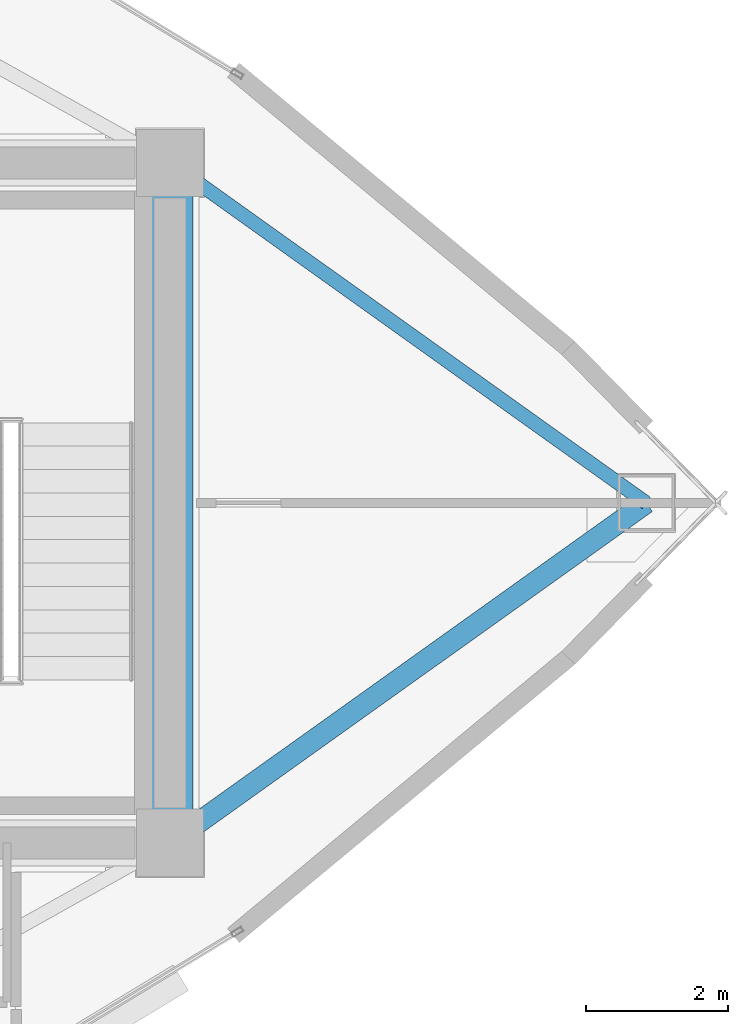
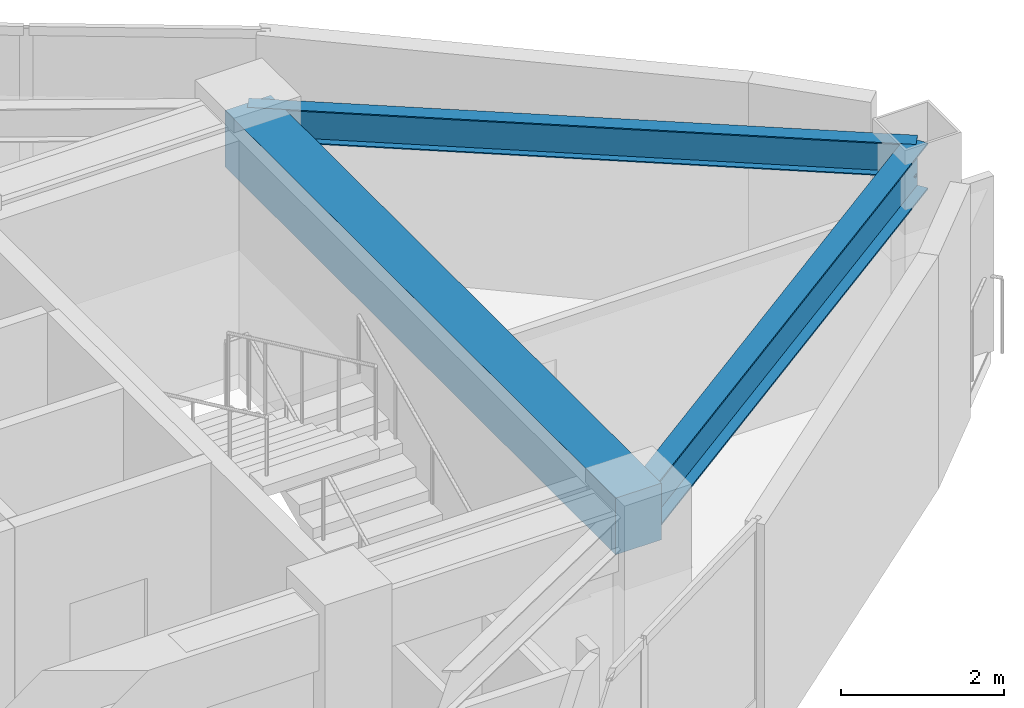
# One storey, part 6 of 15: 3 beams.
"""IFC4 building model written with IfcOpenShell, lengths in metres."""

from ifc_helpers import new_model, si_unit, direction, frame, origin, origin_2d, place, context, subcontext, project, spatial, rectangle, i_section, extrude, material, material_profile, profile_set, type_object, element, save


model = new_model("IFC4")

# Units and contexts
model_context = context("Model", 3, precision=1e-05, world=origin(), true_north=direction((0.0, 1.0)))
body_context = subcontext(model_context, "Body", "Model", "MODEL_VIEW")
ifc_project = project(units=[si_unit("LENGTHUNIT", "METRE"), si_unit("AREAUNIT", "SQUARE_METRE"), si_unit("VOLUMEUNIT", "CUBIC_METRE"), si_unit("PLANEANGLEUNIT", "RADIAN"), si_unit("MASSUNIT", "GRAM", prefix="KILO")], contexts=[model_context])

# Site, building, storey
site_placement = place(None, origin())
site = spatial("IfcSite", under=ifc_project, at=site_placement, CompositionType="ELEMENT")
building_placement = place(site_placement, origin())
building = spatial("IfcBuilding", under=site, at=building_placement, Name="Menara Vayukalpa", CompositionType="ELEMENT")
storey_placement = place(building_placement, frame((0.0, 0.0, 262.02001953125)))
storey = spatial("IfcBuildingStorey", under=building, at=storey_placement, Name="L66", CompositionType="ELEMENT", Elevation=262.02001953125)

# Beams
ifc_material_1 = material(Name="Concrete C60/75", Category="concrete")
ifc_material_profile_1 = material_profile(ifc_material_1, rectangle(XDim=0.64990234375, YDim=0.85009765625, at=origin_2d()), Name="RC 650x850")
ifc_profile_set_1 = profile_set([ifc_material_profile_1], Name="Concrete C60/75")
beam_type_1 = type_object("IfcBeamType", Name="BM-CB1", PredefinedType="BEAM", material=ifc_profile_set_1)
beam_1_placement = place(storey_placement, frame((33.39990234375, 17.199951171875, 3.074951171875), z_axis=(0.0, 1.0, 0.0), x_axis=(-1.0, 0.0, 0.0)))
element("IfcBeam", 1, at=beam_1_placement, inside=storey, type_object=beam_type_1, Name="L66 Core Tie Beam CBR8", PredefinedType="BEAM", context=body_context, shape_type="SweptSolid", body=[
    extrude(rectangle(XDim=0.64990234375, YDim=0.85009765625, at=origin_2d()), origin(), (0.0, 0.0, 1.0), 9.60009765625),
])
ifc_material_2 = material(Name="Steel S355", Category="steel")
ifc_material_profile_2 = material_profile(ifc_material_2, i_section(OverallWidth=0.300048828125, OverallDepth=0.699951171875, WebThickness=0.012939453125, FlangeThickness=0.02392578125, at=origin_2d()), Name="WF 700x300x13x24")
ifc_profile_set_2 = profile_set([ifc_material_profile_2], Name="Steel S355")
beam_type_2 = type_object("IfcBeamType", Name="BM-PG5", PredefinedType="BEAM", material=ifc_profile_set_2)
beam_2_placement = place(storey_placement, frame((33.603515625, 17.34521484375, 3.14990234375), z_axis=(0.813801429135, 0.581143040859, 0.0), x_axis=(-0.581143040859, 0.813801429135, 0.0)))
element("IfcBeam", 2, at=beam_2_placement, inside=storey, type_object=beam_type_2, Name="L66 Primary Radial Girder RG01", PredefinedType="BEAM", context=body_context, shape_type="SweptSolid", body=[
    extrude(i_section(OverallWidth=0.300048828125, OverallDepth=0.699951171875, WebThickness=0.012939453125, FlangeThickness=0.02392578125, at=origin_2d()), origin(), (0.0, 0.0, 1.0), 8.009765625),
])
ifc_material_3 = material(Name="Steel S355", Category="steel")
ifc_material_profile_3 = material_profile(ifc_material_3, i_section(OverallWidth=0.199951171875, OverallDepth=0.5, WebThickness=0.010009765625, FlangeThickness=0.01611328125, at=origin_2d()), Name="WF 500x200x10x16")
ifc_profile_set_3 = profile_set([ifc_material_profile_3], Name="Steel S355")
beam_type_3 = type_object("IfcBeamType", Name="BM-SP3", PredefinedType="SPANDREL", material=ifc_profile_set_3)
beam_3_placement = place(storey_placement, frame((40.121826171875, 22.0, 3.25), z_axis=(-0.813809355401, 0.581131941181, 0.0), x_axis=(-0.581131941181, -0.813809355401, 0.0)))
element("IfcBeam", 3, at=beam_3_placement, inside=storey, type_object=beam_type_3, Name="L66 Perimeter Spandrel Beam SP01", PredefinedType="SPANDREL", context=body_context, shape_type="SweptSolid", body=[
    extrude(i_section(OverallWidth=0.199951171875, OverallDepth=0.5, WebThickness=0.010009765625, FlangeThickness=0.01611328125, at=origin_2d()), origin(), (0.0, 0.0, 1.0), 8.259765625),
])

save(model, "model.ifc")
